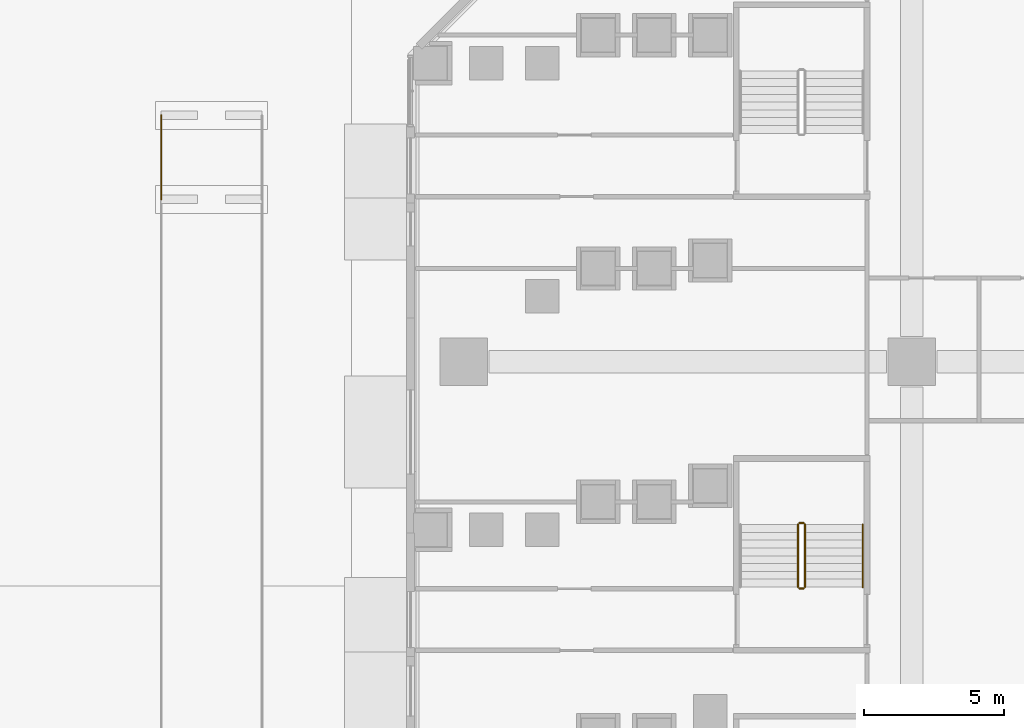
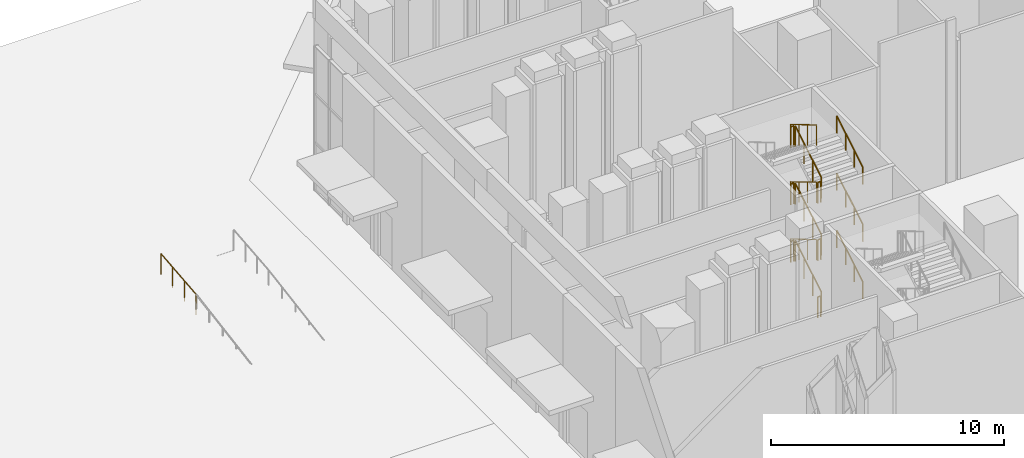
# One storey, part 43 of 51: 16 railings.
"""IFC4 building model written with IfcOpenShell, lengths in metres."""

from ifc_helpers import new_model, si_unit, direction, frame, origin, origin_2d, place, context, subcontext, project, spatial, circle, extrude, material, type_object, element, save


model = new_model("IFC4")

# Units and contexts
model_context = context("Model", 3, precision=1e-05, world=origin(), true_north=direction((0.0, 1.0)))
body_context = subcontext(model_context, "Body", "Model", "MODEL_VIEW")
ifc_project = project(units=[si_unit("LENGTHUNIT", "METRE"), si_unit("AREAUNIT", "SQUARE_METRE"), si_unit("VOLUMEUNIT", "CUBIC_METRE"), si_unit("PLANEANGLEUNIT", "RADIAN"), si_unit("MASSUNIT", "GRAM", prefix="KILO")], contexts=[model_context])

# Site, building, storey
site_placement = place(None, origin())
site = spatial("IfcSite", under=ifc_project, at=site_placement, CompositionType="ELEMENT")
building_placement = place(site_placement, origin())
building = spatial("IfcBuilding", under=site, at=building_placement, Name="Calabash Gate Tower", CompositionType="ELEMENT")
storey_placement = place(building_placement, origin())
storey = spatial("IfcBuildingStorey", under=building, at=storey_placement, Name="L00", CompositionType="ELEMENT", Elevation=0.0)

# Railings
ifc_material_1 = material(Name="Galvanised steel balusters", Category="steel")
railing_type_1 = type_object("IfcRailingType", Name="Ramp guard RG1100", PredefinedType="GUARDRAIL", material=ifc_material_1)
railing_1_placement = place(storey_placement, frame((-58.800048828125, 13.800048828125, -0.300048828125)))
element("IfcRailing", 1, at=railing_1_placement, inside=storey, type_object=railing_type_1, Name="Exit Ramp guard", PredefinedType="GUARDRAIL", context=body_context, shape_type="SweptSolid", body=[
    extrude(circle(Radius=0.02392578125, at=origin_2d()), frame((0.0, 0.0, 1.076171875), z_axis=(0.0, 0.995035586592, 0.0995197539), x_axis=(-1.0, 0.0, 0.0)), (0.0, 0.0, 1.0), 3.014892578125),
    extrude(circle(Radius=0.02099609375, at=origin_2d()), origin(), (0.0, 0.0, 1.0), 1.052001953125),
    extrude(circle(Radius=0.02099609375, at=origin_2d()), frame((0.0, 1.0, 0.10009765625)), (0.0, 0.0, 1.0), 1.052001953125),
    extrude(circle(Radius=0.02099609375, at=origin_2d()), frame((0.0, 2.0, 0.199951171875)), (0.0, 0.0, 1.0), 1.052001953125),
    extrude(circle(Radius=0.02099609375, at=origin_2d()), frame((0.0, 3.0, 0.300048828125)), (0.0, 0.0, 1.0), 1.052001953125),
])
ifc_material_2 = material(Name="Black powder-coated steel balusters", Category="steel")
railing_type_2 = type_object("IfcRailingType", Name="Stair guard RL1100", PredefinedType="GUARDRAIL", material=ifc_material_2)
railing_2_placement = place(storey_placement, frame((-35.81005859375, -0.0400390625, 0.166748046875)))
element("IfcRailing", 2, at=railing_2_placement, inside=storey, type_object=railing_type_2, Name="L00 PS4 stair guard 1", PredefinedType="GUARDRAIL", context=body_context, shape_type="SweptSolid", body=[
    extrude(circle(Radius=0.02392578125, at=origin_2d()), frame((0.0, 0.0, 1.076171875), z_axis=(0.0, 0.858493888361, 0.512823793955), x_axis=(-1.0, 0.0, 0.0)), (0.0, 0.0, 1.0), 2.599853515625),
    extrude(circle(Radius=0.02099609375, at=origin_2d()), origin(), (0.0, 0.0, 1.0), 1.052001953125),
    extrude(circle(Radius=0.02099609375, at=origin_2d()), frame((0.0, 0.743896484375, 0.4443359375)), (0.0, 0.0, 1.0), 1.052001953125),
    extrude(circle(Radius=0.02099609375, at=origin_2d()), frame((0.0, 1.488037109375, 0.888916015625)), (0.0, 0.0, 1.0), 1.052001953125),
    extrude(circle(Radius=0.02099609375, at=origin_2d()), frame((0.0, 2.23193359375, 1.333251953125)), (0.0, 0.0, 1.0), 1.052001953125),
])
railing_3_placement = place(storey_placement, frame((-35.860107421875, 2.241943359375, 1.5)))
element("IfcRailing", 3, at=railing_3_placement, inside=storey, type_object=railing_type_2, Name="L00 PS4 stair guard 2", PredefinedType="GUARDRAIL", context=body_context, shape_type="SweptSolid", body=[
    extrude(circle(Radius=0.02392578125, at=origin_2d()), frame((0.0, 0.0, 1.076171875), z_axis=(-1.0, 0.0, 0.0), x_axis=(0.0, -1.0, 0.0)), (0.0, 0.0, 1.0), 0.14990234375),
    extrude(circle(Radius=0.02099609375, at=origin_2d()), origin(), (0.0, 0.0, 1.0), 1.052001953125),
    extrude(circle(Radius=0.02099609375, at=origin_2d()), frame((-0.14990234375, 0.0, 0.0)), (0.0, 0.0, 1.0), 1.052001953125),
])
railing_4_placement = place(storey_placement, frame((-36.06005859375, 2.19189453125, 1.666748046875)))
element("IfcRailing", 4, at=railing_4_placement, inside=storey, type_object=railing_type_2, Name="L00 PS4 stair guard 3", PredefinedType="GUARDRAIL", context=body_context, shape_type="SweptSolid", body=[
    extrude(circle(Radius=0.02392578125, at=origin_2d()), frame((0.0, 0.0, 1.076171875), z_axis=(0.0, -0.858493888361, 0.512823793955), x_axis=(1.0, 0.0, 0.0)), (0.0, 0.0, 1.0), 2.599853515625),
    extrude(circle(Radius=0.02099609375, at=origin_2d()), origin(), (0.0, 0.0, 1.0), 1.052001953125),
    extrude(circle(Radius=0.02099609375, at=origin_2d()), frame((0.0, -0.743896484375, 0.4443359375)), (0.0, 0.0, 1.0), 1.052001953125),
    extrude(circle(Radius=0.02099609375, at=origin_2d()), frame((0.0, -1.488037109375, 0.888916015625)), (0.0, 0.0, 1.0), 1.052001953125),
    extrude(circle(Radius=0.02099609375, at=origin_2d()), frame((0.0, -2.23193359375, 1.333251953125)), (0.0, 0.0, 1.0), 1.052001953125),
])
railing_5_placement = place(storey_placement, frame((-35.860107421875, -0.090087890625, 3.0)))
element("IfcRailing", 5, at=railing_5_placement, inside=storey, type_object=railing_type_2, Name="L00 PS4 stair guard 4", PredefinedType="GUARDRAIL", context=body_context, shape_type="SweptSolid", body=[
    extrude(circle(Radius=0.02392578125, at=origin_2d()), frame((0.0, 0.0, 1.076171875), z_axis=(-1.0, 0.0, 0.0), x_axis=(0.0, -1.0, 0.0)), (0.0, 0.0, 1.0), 0.14990234375),
    extrude(circle(Radius=0.02099609375, at=origin_2d()), origin(), (0.0, 0.0, 1.0), 1.052001953125),
    extrude(circle(Radius=0.02099609375, at=origin_2d()), frame((-0.14990234375, 0.0, 0.0)), (0.0, 0.0, 1.0), 1.052001953125),
])
railing_6_placement = place(storey_placement, frame((-35.81005859375, -0.0400390625, 3.166748046875)))
element("IfcRailing", 6, at=railing_6_placement, inside=storey, type_object=railing_type_2, Name="L00 PS4 stair guard 5", PredefinedType="GUARDRAIL", context=body_context, shape_type="SweptSolid", body=[
    extrude(circle(Radius=0.02392578125, at=origin_2d()), frame((0.0, 0.0, 1.076171875), z_axis=(0.0, 0.858493888361, 0.512823793955), x_axis=(-1.0, 0.0, 0.0)), (0.0, 0.0, 1.0), 2.599853515625),
    extrude(circle(Radius=0.02099609375, at=origin_2d()), origin(), (0.0, 0.0, 1.0), 1.052001953125),
    extrude(circle(Radius=0.02099609375, at=origin_2d()), frame((0.0, 0.743896484375, 0.4443359375)), (0.0, 0.0, 1.0), 1.052001953125),
    extrude(circle(Radius=0.02099609375, at=origin_2d()), frame((0.0, 1.488037109375, 0.888916015625)), (0.0, 0.0, 1.0), 1.052001953125),
    extrude(circle(Radius=0.02099609375, at=origin_2d()), frame((0.0, 2.23193359375, 1.333251953125)), (0.0, 0.0, 1.0), 1.052001953125),
])
railing_7_placement = place(storey_placement, frame((-35.860107421875, 2.241943359375, 4.5)))
element("IfcRailing", 7, at=railing_7_placement, inside=storey, type_object=railing_type_2, Name="L00 PS4 stair guard 6", PredefinedType="GUARDRAIL", context=body_context, shape_type="SweptSolid", body=[
    extrude(circle(Radius=0.02392578125, at=origin_2d()), frame((0.0, 0.0, 1.076171875), z_axis=(-1.0, 0.0, 0.0), x_axis=(0.0, -1.0, 0.0)), (0.0, 0.0, 1.0), 0.14990234375),
    extrude(circle(Radius=0.02099609375, at=origin_2d()), origin(), (0.0, 0.0, 1.0), 1.052001953125),
    extrude(circle(Radius=0.02099609375, at=origin_2d()), frame((-0.14990234375, 0.0, 0.0)), (0.0, 0.0, 1.0), 1.052001953125),
])
railing_8_placement = place(storey_placement, frame((-36.06005859375, 2.19189453125, 4.666748046875)))
element("IfcRailing", 8, at=railing_8_placement, inside=storey, type_object=railing_type_2, Name="L00 PS4 stair guard 7", PredefinedType="GUARDRAIL", context=body_context, shape_type="SweptSolid", body=[
    extrude(circle(Radius=0.02392578125, at=origin_2d()), frame((0.0, 0.0, 1.076171875), z_axis=(0.0, -0.858493888361, 0.512823793955), x_axis=(1.0, 0.0, 0.0)), (0.0, 0.0, 1.0), 2.599853515625),
    extrude(circle(Radius=0.02099609375, at=origin_2d()), origin(), (0.0, 0.0, 1.0), 1.052001953125),
    extrude(circle(Radius=0.02099609375, at=origin_2d()), frame((0.0, -0.743896484375, 0.4443359375)), (0.0, 0.0, 1.0), 1.052001953125),
    extrude(circle(Radius=0.02099609375, at=origin_2d()), frame((0.0, -1.488037109375, 0.888916015625)), (0.0, 0.0, 1.0), 1.052001953125),
    extrude(circle(Radius=0.02099609375, at=origin_2d()), frame((0.0, -2.23193359375, 1.333251953125)), (0.0, 0.0, 1.0), 1.052001953125),
])
railing_9_placement = place(storey_placement, frame((-35.860107421875, -0.090087890625, 6.0)))
element("IfcRailing", 9, at=railing_9_placement, inside=storey, type_object=railing_type_2, Name="L00 PS4 stair guard 8", PredefinedType="GUARDRAIL", context=body_context, shape_type="SweptSolid", body=[
    extrude(circle(Radius=0.02392578125, at=origin_2d()), frame((0.0, 0.0, 1.076171875), z_axis=(-1.0, 0.0, 0.0), x_axis=(0.0, -1.0, 0.0)), (0.0, 0.0, 1.0), 0.14990234375),
    extrude(circle(Radius=0.02099609375, at=origin_2d()), origin(), (0.0, 0.0, 1.0), 1.052001953125),
    extrude(circle(Radius=0.02099609375, at=origin_2d()), frame((-0.14990234375, 0.0, 0.0)), (0.0, 0.0, 1.0), 1.052001953125),
])
railing_10_placement = place(storey_placement, frame((-35.81005859375, -0.0400390625, 6.166748046875)))
element("IfcRailing", 10, at=railing_10_placement, inside=storey, type_object=railing_type_2, Name="L00 PS4 stair guard 9", PredefinedType="GUARDRAIL", context=body_context, shape_type="SweptSolid", body=[
    extrude(circle(Radius=0.02392578125, at=origin_2d()), frame((0.0, 0.0, 1.076171875), z_axis=(0.0, 0.858493888361, 0.512823793955), x_axis=(-1.0, 0.0, 0.0)), (0.0, 0.0, 1.0), 2.599853515625),
    extrude(circle(Radius=0.02099609375, at=origin_2d()), origin(), (0.0, 0.0, 1.0), 1.052001953125),
    extrude(circle(Radius=0.02099609375, at=origin_2d()), frame((0.0, 0.743896484375, 0.4443359375)), (0.0, 0.0, 1.0), 1.052001953125),
    extrude(circle(Radius=0.02099609375, at=origin_2d()), frame((0.0, 1.488037109375, 0.888916015625)), (0.0, 0.0, 1.0), 1.052001953125),
    extrude(circle(Radius=0.02099609375, at=origin_2d()), frame((0.0, 2.23193359375, 1.333251953125)), (0.0, 0.0, 1.0), 1.052001953125),
])
railing_11_placement = place(storey_placement, frame((-35.860107421875, 2.241943359375, 7.5)))
element("IfcRailing", 11, at=railing_11_placement, inside=storey, type_object=railing_type_2, Name="L00 PS4 stair guard 10", PredefinedType="GUARDRAIL", context=body_context, shape_type="SweptSolid", body=[
    extrude(circle(Radius=0.02392578125, at=origin_2d()), frame((0.0, 0.0, 1.076171875), z_axis=(-1.0, 0.0, 0.0), x_axis=(0.0, -1.0, 0.0)), (0.0, 0.0, 1.0), 0.14990234375),
    extrude(circle(Radius=0.02099609375, at=origin_2d()), origin(), (0.0, 0.0, 1.0), 1.052001953125),
    extrude(circle(Radius=0.02099609375, at=origin_2d()), frame((-0.14990234375, 0.0, 0.0)), (0.0, 0.0, 1.0), 1.052001953125),
])
railing_12_placement = place(storey_placement, frame((-36.06005859375, 2.19189453125, 7.666748046875)))
element("IfcRailing", 12, at=railing_12_placement, inside=storey, type_object=railing_type_2, Name="L00 PS4 stair guard 11", PredefinedType="GUARDRAIL", context=body_context, shape_type="SweptSolid", body=[
    extrude(circle(Radius=0.02392578125, at=origin_2d()), frame((0.0, 0.0, 1.076171875), z_axis=(0.0, -0.858493888361, 0.512823793955), x_axis=(1.0, 0.0, 0.0)), (0.0, 0.0, 1.0), 2.599853515625),
    extrude(circle(Radius=0.02099609375, at=origin_2d()), origin(), (0.0, 0.0, 1.0), 1.052001953125),
    extrude(circle(Radius=0.02099609375, at=origin_2d()), frame((0.0, -0.743896484375, 0.4443359375)), (0.0, 0.0, 1.0), 1.052001953125),
    extrude(circle(Radius=0.02099609375, at=origin_2d()), frame((0.0, -1.488037109375, 0.888916015625)), (0.0, 0.0, 1.0), 1.052001953125),
    extrude(circle(Radius=0.02099609375, at=origin_2d()), frame((0.0, -2.23193359375, 1.333251953125)), (0.0, 0.0, 1.0), 1.052001953125),
])
railing_13_placement = place(storey_placement, frame((-35.860107421875, -0.090087890625, 0.0)))
element("IfcRailing", 13, at=railing_13_placement, inside=storey, type_object=railing_type_2, Name="L00 PS4 stair guard 12", PredefinedType="GUARDRAIL", context=body_context, shape_type="SweptSolid", body=[
    extrude(circle(Radius=0.02392578125, at=origin_2d()), frame((0.0, 0.0, 1.076171875), z_axis=(-1.0, 0.0, 0.0), x_axis=(0.0, -1.0, 0.0)), (0.0, 0.0, 1.0), 0.14990234375),
    extrude(circle(Radius=0.02099609375, at=origin_2d()), origin(), (0.0, 0.0, 1.0), 1.052001953125),
    extrude(circle(Radius=0.02099609375, at=origin_2d()), frame((-0.14990234375, 0.0, 0.0)), (0.0, 0.0, 1.0), 1.052001953125),
])
ifc_material_3 = material(Name="Black powder-coated steel tube 48 mm", Category="steel")
railing_type_3 = type_object("IfcRailingType", Name="Stair handrail RL900", PredefinedType="HANDRAIL", material=ifc_material_3)
for number, where, name in (
    (14, (-33.75, -0.0400390625, 0.166748046875), "L00 PS4 stair handrail 1"),
    (15, (-33.75, -0.0400390625, 3.166748046875), "L00 PS4 stair handrail 3"),
    (16, (-33.75, -0.0400390625, 6.166748046875), "L00 PS4 stair handrail 5"),
):
    element("IfcRailing", number, at=place(storey_placement, frame(where)), inside=storey, type_object=railing_type_3, Name=name, PredefinedType="HANDRAIL", context=body_context, shape_type="SweptSolid", body=[
        extrude(circle(Radius=0.02392578125, at=origin_2d()), frame((0.0, 0.0, 0.8759765625), z_axis=(0.0, 0.858493888361, 0.512823793955), x_axis=(-1.0, 0.0, 0.0)), (0.0, 0.0, 1.0), 2.599853515625),
        extrude(circle(Radius=0.02099609375, at=origin_2d()), origin(), (0.0, 0.0, 1.0), 0.851806640625),
        extrude(circle(Radius=0.02099609375, at=origin_2d()), frame((0.0, 0.743896484375, 0.4443359375)), (0.0, 0.0, 1.0), 0.851806640625),
        extrude(circle(Radius=0.02099609375, at=origin_2d()), frame((0.0, 1.488037109375, 0.888916015625)), (0.0, 0.0, 1.0), 0.851806640625),
        extrude(circle(Radius=0.02099609375, at=origin_2d()), frame((0.0, 2.23193359375, 1.333251953125)), (0.0, 0.0, 1.0), 0.851806640625),
    ])

save(model, "model.ifc")
